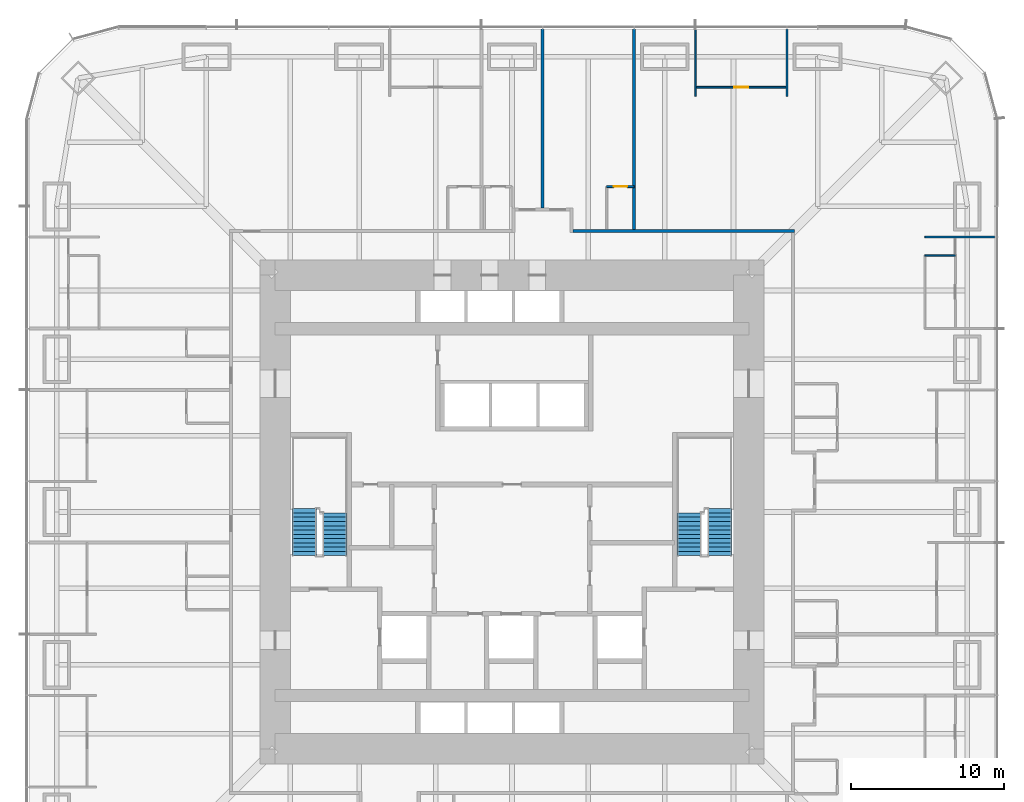
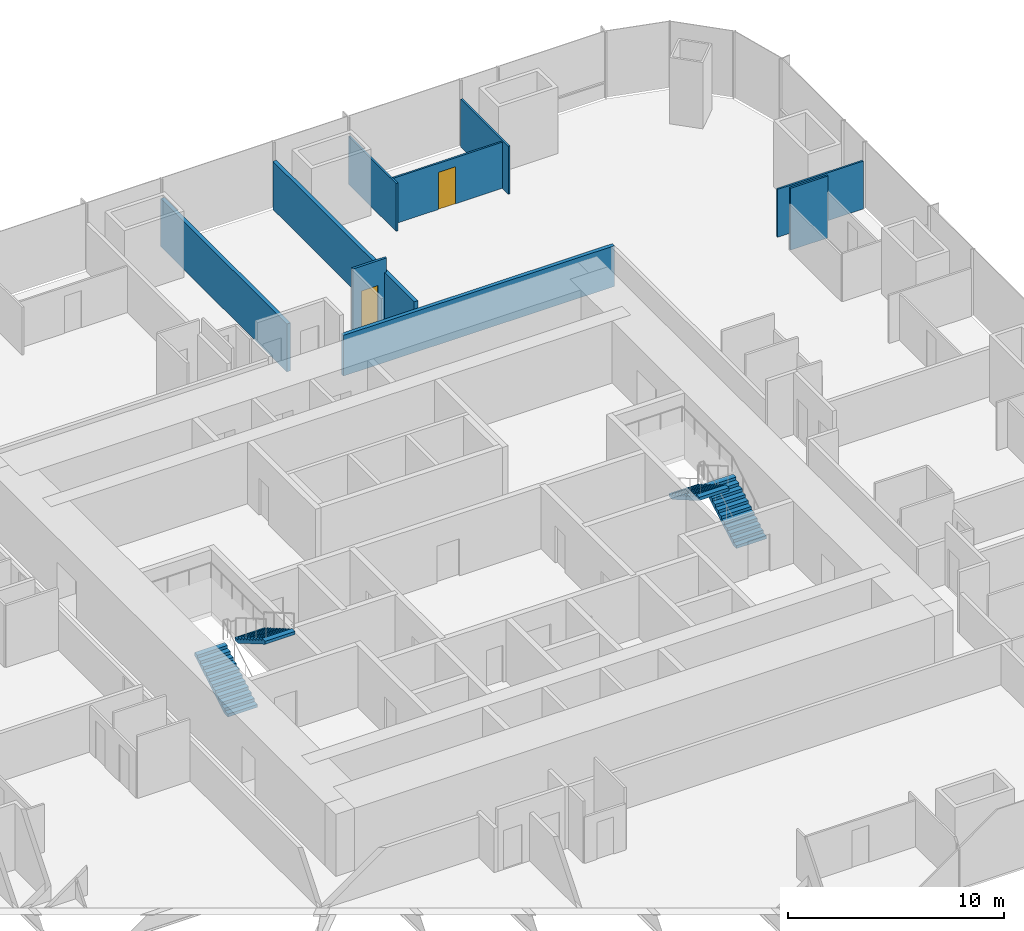
# One storey, part 16 of 17: 9 walls, 4 stair flights, 2 doors, 2 openings, 2 elements without a shape of their own.
"""IFC4 building model written with IfcOpenShell, lengths in metres."""

import ifcopenshell
import ifcopenshell.guid

model = None  # the IFC model being written
_history = None  # IfcOwnerHistory: only IFC2X3 demands one
_inside = {}  # id of a spatial element -> (the spatial element, [elements in it])
_under = {}  # id of a project, library or spatial element -> (it, [spatial elements below it])
_declared = {}  # id of a project -> (the project, [libraries it declares])
_typed = {}  # id of a type object -> (the type object, [elements of that type])
_made_of = {}  # id of a material, layer set ... -> (it, [elements and type objects made of it])


def new_model(schema):
    """Start an empty IFC model of exactly this schema.

    Asked for "IFC4X3", IfcOpenShell would pick the latest addendum, in which some entities
    have other attributes; the version numbers below select the first issue.
    IFC2X3 requires an IfcOwnerHistory on every rooted entity: one is made here for all.
    """
    global model, _history
    if schema == "IFC4X3":
        model = ifcopenshell.file(schema_version=(4, 3, 0, 0))
    else:
        model = ifcopenshell.file(schema=schema)
    _inside.clear()
    _under.clear()
    _declared.clear()
    _typed.clear()
    _made_of.clear()
    _history = None
    if model.schema == "IFC2X3":
        org = make("IfcOrganization", Name="unknown")
        user = make(
            "IfcPersonAndOrganization",
            ThePerson=make("IfcPerson", FamilyName="unknown"),
            TheOrganization=org,
        )
        app = make(
            "IfcApplication",
            ApplicationDeveloper=org,
            Version="unknown",
            ApplicationFullName="unknown",
            ApplicationIdentifier="unknown",
        )
        _history = make(
            "IfcOwnerHistory",
            OwningUser=user,
            OwningApplication=app,
            ChangeAction="ADDED",
            CreationDate=0,
        )
    return model


def make(cls, **values):
    """One entity of the class cls with the attributes given. An attribute that is None is left unset."""
    return model.create_entity(
        cls, **{name: value for name, value in values.items() if value is not None}
    )


def rooted(cls, **values):
    """An entity with a GlobalId (a new one), such as an element, a storey or a relation."""
    return make(cls, GlobalId=ifcopenshell.guid.new(), OwnerHistory=_history, **values)


def si_unit(unit_type, name, prefix=None):
    """IfcSIUnit, for example si_unit("LENGTHUNIT", "METRE", prefix="MILLI")."""
    return make("IfcSIUnit", UnitType=unit_type, Prefix=prefix, Name=name)


def assignment(units):
    """IfcUnitAssignment: the units of a project."""
    return None if units is None else make("IfcUnitAssignment", Units=units)


def point(xyz):
    """IfcCartesianPoint."""
    return None if xyz is None else make("IfcCartesianPoint", Coordinates=xyz)


def direction(xyz):
    """IfcDirection."""
    return None if xyz is None else make("IfcDirection", DirectionRatios=xyz)


def frame(location, z_axis=None, x_axis=None):
    """IfcAxis2Placement3D, a coordinate frame: its origin and axes. An axis left out is left unset."""
    return make(
        "IfcAxis2Placement3D",
        Location=point(location),
        Axis=direction(z_axis),
        RefDirection=direction(x_axis),
    )


def frame_2d(location, x_axis=None):
    """IfcAxis2Placement2D, a coordinate frame in the plane: its origin and x axis."""
    return make(
        "IfcAxis2Placement2D", Location=point(location), RefDirection=direction(x_axis)
    )


def origin():
    """The frame at (0, 0, 0) with its axes left unset."""
    return frame((0.0, 0.0, 0.0))


def place(relative_to, where):
    """IfcLocalPlacement: puts the frame where relative to a parent placement (None: the world)."""
    return make(
        "IfcLocalPlacement", PlacementRelTo=relative_to, RelativePlacement=where
    )


def context(
    kind, dimensions, precision=None, world=None, true_north=None, identifier=None
):
    """IfcGeometricRepresentationContext, for example the 3D "Model" context."""
    return make(
        "IfcGeometricRepresentationContext",
        ContextIdentifier=identifier,
        ContextType=kind,
        CoordinateSpaceDimension=dimensions,
        Precision=precision,
        WorldCoordinateSystem=world,
        TrueNorth=true_north,
    )


def subcontext(parent, identifier, kind, view, scale=None):
    """IfcGeometricRepresentationSubContext, for example "Body" below "Model"."""
    return make(
        "IfcGeometricRepresentationSubContext",
        ContextIdentifier=identifier,
        ContextType=kind,
        ParentContext=parent,
        TargetScale=scale,
        TargetView=view,
    )


def project(units=None, contexts=None):
    """IfcProject with its units and contexts."""
    return rooted(
        "IfcProject",
        Name="project",
        RepresentationContexts=contexts,
        UnitsInContext=assignment(units),
    )


def spatial(cls, under=None, at=None, **own):
    """A site, building, storey or space (cls), placed at a placement, below another one or the project."""
    s = rooted(cls, ObjectPlacement=at, **own)
    if under is not None:
        _under.setdefault(under.id(), (under, []))[1].append(s)
    return s


def polyline(points):
    """IfcPolyline through the points."""
    return make("IfcPolyline", Points=[point(p) for p in points])


def profile(cls, at=None, kind="AREA", **sizes):
    """A parametric profile (cls). Its sizes go by their IFC names, for example OverallWidth=200.0."""
    return make(cls, ProfileType=kind, Position=at, **sizes)


def rectangle(**sizes):
    """IfcRectangleProfileDef."""
    return profile("IfcRectangleProfileDef", **sizes)


def outline(outer, holes=None, kind="AREA"):
    """IfcArbitraryClosedProfileDef: a profile drawn as a closed curve; with holes, ...WithVoids."""
    if holes is None:
        return make("IfcArbitraryClosedProfileDef", ProfileType=kind, OuterCurve=outer)
    return make(
        "IfcArbitraryProfileDefWithVoids",
        ProfileType=kind,
        OuterCurve=outer,
        InnerCurves=holes,
    )


def extrude(swept, where, along, depth):
    """IfcExtrudedAreaSolid: the profile swept, set in the frame where, extruded along a direction by depth."""
    return make(
        "IfcExtrudedAreaSolid",
        SweptArea=swept,
        Position=where,
        ExtrudedDirection=direction(along),
        Depth=depth,
    )


def shape(context_of_items, identifier, shape_type, items):
    """IfcShapeRepresentation: the items that make up one representation, for example the "Body"."""
    return make(
        "IfcShapeRepresentation",
        ContextOfItems=context_of_items,
        RepresentationIdentifier=identifier,
        RepresentationType=shape_type,
        Items=items,
    )


def material(Name=None, Category=None):
    """IfcMaterial."""
    return make("IfcMaterial", Name=Name, Category=Category)


def layer(
    of_material, thickness, ventilated=None, Name=None, Category=None, Priority=None
):
    """IfcMaterialLayer: one layer of a wall or slab, of a material (None: an air gap)."""
    return make(
        "IfcMaterialLayer",
        Material=of_material,
        LayerThickness=thickness,
        IsVentilated=ventilated,
        Name=Name,
        Category=Category,
        Priority=Priority,
    )


def layer_set(layers, Name=None):
    """IfcMaterialLayerSet."""
    return make("IfcMaterialLayerSet", MaterialLayers=layers, LayerSetName=Name)


def made_of(thing, what):
    """Note that an element or type object is made of a material, layer set ...; save() writes the relation."""
    if what is not None:
        _made_of.setdefault(what.id(), (what, []))[1].append(thing)
    return thing


def type_object(cls, material=None, **own):
    """A type object (cls), such as IfcWallType, which elements share."""
    return made_of(rooted(cls, **own), material)


def element(
    cls,
    number,
    at=None,
    inside=None,
    cuts=None,
    type_object=None,
    material=None,
    context=None,
    identifier="Body",
    shape_type=None,
    held_by="IfcProductDefinitionShape",
    body=None,
    shapes=None,
    **own,
):
    """One element of the class cls, such as IfcWall. Its Tag is "e" and its number.

    at: its placement. inside: the storey or other place that contains it. cuts: it is an
    opening in that element (IfcRelVoidsElement). A single representation is given by context,
    identifier, shape_type and body (its items); several are given by shapes. held_by: the class
    of the entity that holds the representations. save() writes the other relations.
    """
    e = rooted(cls, Tag="e%d" % number, ObjectPlacement=at, **own)
    if body is not None:
        shapes = [shape(context, identifier, shape_type, body)]
    if shapes is not None:
        e.Representation = make(held_by, Representations=shapes)
    if inside is not None:
        _inside.setdefault(inside.id(), (inside, []))[1].append(e)
    if cuts is not None:
        rooted(
            "IfcRelVoidsElement", RelatingBuildingElement=cuts, RelatedOpeningElement=e
        )
    if type_object is not None:
        _typed.setdefault(type_object.id(), (type_object, []))[1].append(e)
    return made_of(e, material)


def fill(opening, filler):
    """IfcRelFillsElement: the door or window that sits in an opening."""
    return rooted(
        "IfcRelFillsElement",
        RelatingOpeningElement=opening,
        RelatedBuildingElement=filler,
    )


def aggregate(whole, parts):
    """IfcRelAggregates: a whole, such as a stair, and the parts it consists of."""
    return rooted("IfcRelAggregates", RelatingObject=whole, RelatedObjects=parts)


def save(model, path):
    """Write the relations noted so far, then the file.

    IfcRelAggregates (storeys below a building ...), IfcRelContainedInSpatialStructure (elements
    in a storey), IfcRelDefinesByType, IfcRelAssociatesMaterial and IfcRelDeclares: one each for
    every whole, place, type object, material and project.
    """
    for whole, parts in _under.values():
        aggregate(whole, parts)
    for where, things in _inside.values():
        rooted(
            "IfcRelContainedInSpatialStructure",
            RelatedElements=things,
            RelatingStructure=where,
        )
    for kind, things in _typed.values():
        rooted("IfcRelDefinesByType", RelatedObjects=things, RelatingType=kind)
    for what, things in _made_of.values():
        rooted("IfcRelAssociatesMaterial", RelatedObjects=things, RelatingMaterial=what)
    for by, libraries in _declared.values():
        rooted("IfcRelDeclares", RelatingContext=by, RelatedDefinitions=libraries)
    model.write(path)


model = new_model("IFC4")

# Units and contexts
model_context = context("Model", 3, precision=1e-05, world=origin(), true_north=direction((0.0, 1.0)))
body_context = subcontext(model_context, "Body", "Model", "MODEL_VIEW")
ifc_project = project(units=[si_unit("LENGTHUNIT", "METRE"), si_unit("AREAUNIT", "SQUARE_METRE"), si_unit("VOLUMEUNIT", "CUBIC_METRE"), si_unit("PLANEANGLEUNIT", "RADIAN"), si_unit("MASSUNIT", "GRAM", prefix="KILO")], contexts=[model_context])

# Site, building, storey
site_placement = place(None, origin())
site = spatial("IfcSite", under=ifc_project, at=site_placement, CompositionType="ELEMENT")
building_placement = place(site_placement, origin())
building = spatial("IfcBuilding", under=site, at=building_placement, Name="Khuree Lantern Residences", CompositionType="ELEMENT")
storey_placement = place(building_placement, frame((0.0, 0.0, 43.5)))
storey = spatial("IfcBuildingStorey", under=building, at=storey_placement, Name="L10", CompositionType="ELEMENT", Elevation=43.5)

# Wall, opening, door
ifc_material_1 = material(Name="Moisture-resistant gypsum board on steel studs", Category="steel")
ifc_layer_1 = layer(ifc_material_1, 0.125)
ifc_layer_set_1 = layer_set([ifc_layer_1], Name="BATHROOM WALL BTW125")
wall_type_1 = type_object("IfcWallType", Name="BATHROOM WALL BTW125", PredefinedType="PARTITIONING", material=ifc_layer_set_1)
wall_1_placement = place(storey_placement, frame((8.0, 21.300048828125, 0.0), z_axis=(0.0, 0.0, 1.0), x_axis=(-1.0, 0.0, 0.0)))
wall_1 = element("IfcWall", 1, at=wall_1_placement, inside=storey, type_object=wall_type_1, Name="L10 BATHROOM WALL 03", PredefinedType="PARTITIONING", context=body_context, shape_type="SweptSolid", body=[
    extrude(rectangle(XDim=1.800048828125, YDim=0.125, at=frame_2d((0.89990234375, 0.0))), origin(), (0.0, 0.0, 1.0), 3.5),
])
opening_1_placement = place(wall_1_placement, frame((0.449951171875, 0.0, 0.0)))
opening_1 = element("IfcOpeningElement", 2, at=opening_1_placement, cuts=wall_1, Name="Opening 10-032", PredefinedType="OPENING", context=body_context, shape_type="SweptSolid", body=[
    extrude(rectangle(XDim=0.89990234375, YDim=2.10009765625, at=frame_2d((0.449951171875, 1.050048828125))), frame((0.0, 0.072509765625, 0.0), z_axis=(0.0, -1.0, 0.0), x_axis=(1.0, 0.0, 0.0)), (0.0, 0.0, 1.0), 0.14501953125),
])
ifc_material_2 = material(Name="Timber door leaf in hardwood frame", Category="wood")
door_type_1 = type_object("IfcDoorType", Name="BATHROOM DOOR 900X2100", OperationType="SINGLE_SWING_LEFT", PredefinedType="DOOR", material=ifc_material_2)
door_1_placement = place(opening_1_placement, origin())
door_1 = element("IfcDoor", 3, at=door_1_placement, inside=storey, type_object=door_type_1, Name="Bathroom door 10-032", OperationType="SINGLE_SWING_LEFT", OverallHeight=2.10009765625, OverallWidth=0.89990234375, PredefinedType="DOOR", context=body_context, shape_type="SweptSolid", body=[
    extrude(rectangle(XDim=0.89990234375, YDim=2.10009765625, at=frame_2d((0.449951171875, 1.050048828125))), frame((0.0, 0.02490234375, 0.0), z_axis=(0.0, -1.0, 0.0), x_axis=(1.0, 0.0, 0.0)), (0.0, 0.0, 1.0), 0.050048828125),
])
fill(opening_1, door_1)

# Walls
ifc_material_3 = material(Name="Gypsum board on steel studs", Category="steel")
ifc_layer_2 = layer(ifc_material_3, 0.199951171875)
ifc_layer_set_2 = layer_set([ifc_layer_2], Name="CORRIDOR WALL CRW200 EI 60")
wall_type_2 = type_object("IfcWallType", Name="CORRIDOR WALL CRW200 EI 60", PredefinedType="PARTITIONING", material=ifc_layer_set_2)
wall_2_placement = place(storey_placement, frame((4.0, 18.39990234375, 0.0), z_axis=(0.0, 0.0, 1.0), x_axis=(1.0, 0.0, 0.0)))
element("IfcWall", 4, at=wall_2_placement, inside=storey, type_object=wall_type_2, Name="L10 CORRIDOR WALL NORTH 2", PredefinedType="PARTITIONING", context=body_context, shape_type="SweptSolid", body=[
    extrude(rectangle(XDim=14.5, YDim=0.199951171875, at=frame_2d((7.25, 0.0))), origin(), (0.0, 0.0, 1.0), 2.300048828125),
])
ifc_layer_3 = layer(ifc_material_3, 0.199951171875)
ifc_layer_set_3 = layer_set([ifc_layer_3], Name="DEMISING WALL DMW200 EI 90")
wall_type_3 = type_object("IfcWallType", Name="DEMISING WALL DMW200 EI 90", PredefinedType="PARTITIONING", material=ifc_layer_set_3)
wall_3_placement = place(storey_placement, frame((8.0, 18.5, 0.0), z_axis=(0.0, 0.0, 1.0), x_axis=(0.0, 1.0, 0.0)))
element("IfcWall", 5, at=wall_3_placement, inside=storey, type_object=wall_type_3, Name="L10 DEMISING WALL 03", PredefinedType="PARTITIONING", context=body_context, shape_type="SweptSolid", body=[
    extrude(rectangle(XDim=13.10009765625, YDim=0.199951171875, at=frame_2d((6.550048828125, 0.0))), origin(), (0.0, 0.0, 1.0), 2.7099609375),
])
wall_4_placement = place(storey_placement, frame((2.0, 19.89990234375, 0.0), z_axis=(0.0, 0.0, 1.0), x_axis=(0.0, 1.0, 0.0)))
element("IfcWall", 6, at=wall_4_placement, inside=storey, type_object=wall_type_3, Name="L10 DEMISING WALL 04", PredefinedType="PARTITIONING", context=body_context, shape_type="SweptSolid", body=[
    extrude(rectangle(XDim=11.7001953125, YDim=0.199951171875, at=frame_2d((5.85009765625, 0.0))), origin(), (0.0, 0.0, 1.0), 2.7099609375),
])
ifc_layer_4 = layer(ifc_material_3, 0.10009765625)
ifc_layer_set_4 = layer_set([ifc_layer_4], Name="PARTITION PT100")
wall_type_4 = type_object("IfcWallType", Name="PARTITION PT100", PredefinedType="PARTITIONING", material=ifc_layer_set_4)
wall_5_placement = place(storey_placement, frame((27.0166015625, 18.0, 0.0), z_axis=(0.0, 0.0, 1.0), x_axis=(1.0, 0.0, 0.0)))
element("IfcWall", 7, at=wall_5_placement, inside=storey, type_object=wall_type_4, Name="L10 PARTITION 02", PredefinedType="PARTITIONING", context=body_context, shape_type="SweptSolid", body=[
    extrude(rectangle(XDim=4.58349609375, YDim=0.10009765625, at=frame_2d((2.291748046875, 0.0))), origin(), (0.0, 0.0, 1.0), 2.7099609375),
])
for number, where, z_axis, x_axis, name in (
    (8, (18.0, 27.199951171875, 0.0), (0.0, 0.0, 1.0), (0.0, 1.0, 0.0), "L10 PARTITION 02"),
    (9, (12.0, 27.199951171875, 0.0), (0.0, 0.0, 1.0), (0.0, 1.0, 0.0), "L10 PARTITION 02"),
):
    element("IfcWall", number, at=place(storey_placement, frame(where, z_axis=z_axis, x_axis=x_axis)), inside=storey, type_object=wall_type_4, Name=name, PredefinedType="PARTITIONING", context=body_context, shape_type="SweptSolid", body=[
        extrude(rectangle(XDim=4.400146484375, YDim=0.10009765625, at=frame_2d((2.2001953125, 0.0))), origin(), (0.0, 0.0, 1.0), 2.7099609375),
    ])
wall_6_placement = place(storey_placement, frame((27.0166015625, 16.800048828125, 0.0), z_axis=(0.0, 0.0, 1.0), x_axis=(1.0, 0.0, 0.0)))
element("IfcWall", 10, at=wall_6_placement, inside=storey, type_object=wall_type_4, Name="L10 PARTITION 02", PredefinedType="PARTITIONING", context=body_context, shape_type="SweptSolid", body=[
    extrude(rectangle(XDim=2.0, YDim=0.10009765625, at=frame_2d((1.0, 0.0))), origin(), (0.0, 0.0, 1.0), 3.5),
])

# Wall, opening, door
wall_7_placement = place(storey_placement, frame((18.0, 27.800048828125, 0.0), z_axis=(0.0, 0.0, 1.0), x_axis=(-1.0, 0.0, 0.0)))
wall_7 = element("IfcWall", 11, at=wall_7_placement, inside=storey, type_object=wall_type_4, Name="L10 PARTITION 02", PredefinedType="PARTITIONING", context=body_context, shape_type="SweptSolid", body=[
    extrude(rectangle(XDim=6.0, YDim=0.10009765625, at=frame_2d((3.0, 0.0))), origin(), (0.0, 0.0, 1.0), 2.610107421875),
])
opening_2_placement = place(wall_7_placement, frame((2.550048828125, 0.0, 0.0)))
opening_2 = element("IfcOpeningElement", 12, at=opening_2_placement, cuts=wall_7, Name="Opening 10-028", PredefinedType="OPENING", context=body_context, shape_type="SweptSolid", body=[
    extrude(rectangle(XDim=0.89990234375, YDim=2.10009765625, at=frame_2d((0.449951171875, 1.050048828125))), frame((0.0, 0.06005859375, 0.0), z_axis=(0.0, -1.0, 0.0), x_axis=(1.0, 0.0, 0.0)), (0.0, 0.0, 1.0), 0.1201171875),
])
door_type_2 = type_object("IfcDoorType", Name="BEDROOM DOOR 900X2100", OperationType="SINGLE_SWING_LEFT", PredefinedType="DOOR", material=ifc_material_2)
door_2_placement = place(opening_2_placement, origin())
door_2 = element("IfcDoor", 13, at=door_2_placement, inside=storey, type_object=door_type_2, Name="Bedroom door 10-028", OperationType="SINGLE_SWING_LEFT", OverallHeight=2.10009765625, OverallWidth=0.89990234375, PredefinedType="DOOR", context=body_context, shape_type="SweptSolid", body=[
    extrude(rectangle(XDim=0.89990234375, YDim=2.10009765625, at=frame_2d((0.449951171875, 1.050048828125))), frame((0.0, 0.02490234375, 0.0), z_axis=(0.0, -1.0, 0.0), x_axis=(1.0, 0.0, 0.0)), (0.0, 0.0, 1.0), 0.050048828125),
])
fill(opening_2, door_2)

# Stair, stair flights
ifc_material_4 = material(Name="Concrete C40/50", Category="concrete")
stair_type = type_object("IfcStairType", Name="STAIR ST1 HALF TURN 3600", PredefinedType="HALF_TURN_STAIR", material=ifc_material_4)
stair_1_placement = place(storey_placement, origin())
stair_1 = element("IfcStair", 14, at=stair_1_placement, inside=storey, type_object=stair_type, Name="Stair ST1", PredefinedType="HALF_TURN_STAIR")
stair_flight_type = type_object("IfcStairFlightType", Name="STAIR FLIGHT SF1 1600", PredefinedType="STRAIGHT", material=ifc_material_4)
stair_flight_1_placement = place(storey_placement, frame((-13.60009765625, -2.860107421875, 0.0), z_axis=(0.0, 0.0, 1.0), x_axis=(0.0, 1.0, 0.0)))
stair_flight_1 = element("IfcStairFlight", 15, at=stair_flight_1_placement, type_object=stair_flight_type, Name="ST1 flight 1", NumberOfRisers=12, NumberOfTreads=11, PredefinedType="STRAIGHT", RiserHeight=0.163043478, TreadLength=0.28, context=body_context, shape_type="SweptSolid", body=[
    extrude(outline(polyline([(0.0, 0.0), (0.0, 0.1630859375), (0.280029296875, 0.1630859375), (0.280029296875, 0.326171875), (0.56005859375, 0.326171875), (0.56005859375, 0.489013671875), (0.840087890625, 0.489013671875), (0.840087890625, 0.652099609375), (1.1201171875, 0.652099609375), (1.1201171875, 0.815185546875), (1.39990234375, 0.815185546875), (1.39990234375, 0.978271484375), (1.679931640625, 0.978271484375), (1.679931640625, 1.141357421875), (1.9599609375, 1.141357421875), (1.9599609375, 1.304443359375), (2.239990234375, 1.304443359375), (2.239990234375, 1.46728515625), (2.52001953125, 1.46728515625), (2.52001953125, 1.63037109375), (2.800048828125, 1.63037109375), (2.800048828125, 1.79345703125), (3.080078125, 1.79345703125), (3.080078125, 1.95654296875), (3.080078125, 1.6201171875), (0.2978515625, 0.0), (0.0, 0.0)])), frame((0.0, 0.800048828125, 0.0), z_axis=(0.0, -1.0, 0.0), x_axis=(1.0, 0.0, 0.0)), (0.0, 0.0, 1.0), 1.60009765625),
])
stair_flight_2_placement = place(storey_placement, frame((-11.60009765625, -0.06005859375, 1.95654296875), z_axis=(0.0, 0.0, 1.0), x_axis=(0.0, -1.0, 0.0)))
stair_flight_2 = element("IfcStairFlight", 16, at=stair_flight_2_placement, type_object=stair_flight_type, Name="ST1 flight 2", NumberOfRisers=11, NumberOfTreads=10, PredefinedType="STRAIGHT", RiserHeight=0.163043478, TreadLength=0.28, context=body_context, shape_type="SweptSolid", body=[
    extrude(outline(polyline([(0.0, 0.0), (0.0, 0.1630859375), (0.280029296875, 0.1630859375), (0.280029296875, 0.326171875), (0.56005859375, 0.326171875), (0.56005859375, 0.489013671875), (0.840087890625, 0.489013671875), (0.840087890625, 0.652099609375), (1.1201171875, 0.652099609375), (1.1201171875, 0.815185546875), (1.39990234375, 0.815185546875), (1.39990234375, 0.978271484375), (1.679931640625, 0.978271484375), (1.679931640625, 1.141357421875), (1.9599609375, 1.141357421875), (1.9599609375, 1.304443359375), (2.239990234375, 1.304443359375), (2.239990234375, 1.46728515625), (2.52001953125, 1.46728515625), (2.52001953125, 1.63037109375), (2.800048828125, 1.63037109375), (2.800048828125, 1.79345703125), (2.800048828125, 1.45703125), (0.2978515625, 0.0), (0.0, 0.0)])), frame((0.0, 0.800048828125, 0.0), z_axis=(0.0, -1.0, 0.0), x_axis=(1.0, 0.0, 0.0)), (0.0, 0.0, 1.0), 1.60009765625),
])
aggregate(stair_1, [stair_flight_1, stair_flight_2])

stair_2_placement = place(storey_placement, origin())
stair_2 = element("IfcStair", 17, at=stair_2_placement, inside=storey, type_object=stair_type, Name="Stair ST2", PredefinedType="HALF_TURN_STAIR")
stair_flight_3_placement = place(storey_placement, frame((13.60009765625, -2.860107421875, 0.0), z_axis=(0.0, 0.0, 1.0), x_axis=(0.0, 1.0, 0.0)))
stair_flight_3 = element("IfcStairFlight", 18, at=stair_flight_3_placement, type_object=stair_flight_type, Name="ST2 flight 1", NumberOfRisers=12, NumberOfTreads=11, PredefinedType="STRAIGHT", RiserHeight=0.163043478, TreadLength=0.28, context=body_context, shape_type="SweptSolid", body=[
    extrude(outline(polyline([(0.0, 0.0), (0.0, 0.1630859375), (0.280029296875, 0.1630859375), (0.280029296875, 0.326171875), (0.56005859375, 0.326171875), (0.56005859375, 0.489013671875), (0.840087890625, 0.489013671875), (0.840087890625, 0.652099609375), (1.1201171875, 0.652099609375), (1.1201171875, 0.815185546875), (1.39990234375, 0.815185546875), (1.39990234375, 0.978271484375), (1.679931640625, 0.978271484375), (1.679931640625, 1.141357421875), (1.9599609375, 1.141357421875), (1.9599609375, 1.304443359375), (2.239990234375, 1.304443359375), (2.239990234375, 1.46728515625), (2.52001953125, 1.46728515625), (2.52001953125, 1.63037109375), (2.800048828125, 1.63037109375), (2.800048828125, 1.79345703125), (3.080078125, 1.79345703125), (3.080078125, 1.95654296875), (3.080078125, 1.6201171875), (0.2978515625, 0.0), (0.0, 0.0)])), frame((0.0, 0.800048828125, 0.0), z_axis=(0.0, -1.0, 0.0), x_axis=(1.0, 0.0, 0.0)), (0.0, 0.0, 1.0), 1.60009765625),
])
stair_flight_4_placement = place(storey_placement, frame((11.60009765625, -0.06005859375, 1.95654296875), z_axis=(0.0, 0.0, 1.0), x_axis=(0.0, -1.0, 0.0)))
stair_flight_4 = element("IfcStairFlight", 19, at=stair_flight_4_placement, type_object=stair_flight_type, Name="ST2 flight 2", NumberOfRisers=11, NumberOfTreads=10, PredefinedType="STRAIGHT", RiserHeight=0.163043478, TreadLength=0.28, context=body_context, shape_type="SweptSolid", body=[
    extrude(outline(polyline([(0.0, 0.0), (0.0, 0.1630859375), (0.280029296875, 0.1630859375), (0.280029296875, 0.326171875), (0.56005859375, 0.326171875), (0.56005859375, 0.489013671875), (0.840087890625, 0.489013671875), (0.840087890625, 0.652099609375), (1.1201171875, 0.652099609375), (1.1201171875, 0.815185546875), (1.39990234375, 0.815185546875), (1.39990234375, 0.978271484375), (1.679931640625, 0.978271484375), (1.679931640625, 1.141357421875), (1.9599609375, 1.141357421875), (1.9599609375, 1.304443359375), (2.239990234375, 1.304443359375), (2.239990234375, 1.46728515625), (2.52001953125, 1.46728515625), (2.52001953125, 1.63037109375), (2.800048828125, 1.63037109375), (2.800048828125, 1.79345703125), (2.800048828125, 1.45703125), (0.2978515625, 0.0), (0.0, 0.0)])), frame((0.0, 0.800048828125, 0.0), z_axis=(0.0, -1.0, 0.0), x_axis=(1.0, 0.0, 0.0)), (0.0, 0.0, 1.0), 1.60009765625),
])
aggregate(stair_2, [stair_flight_3, stair_flight_4])

save(model, "model.ifc")
